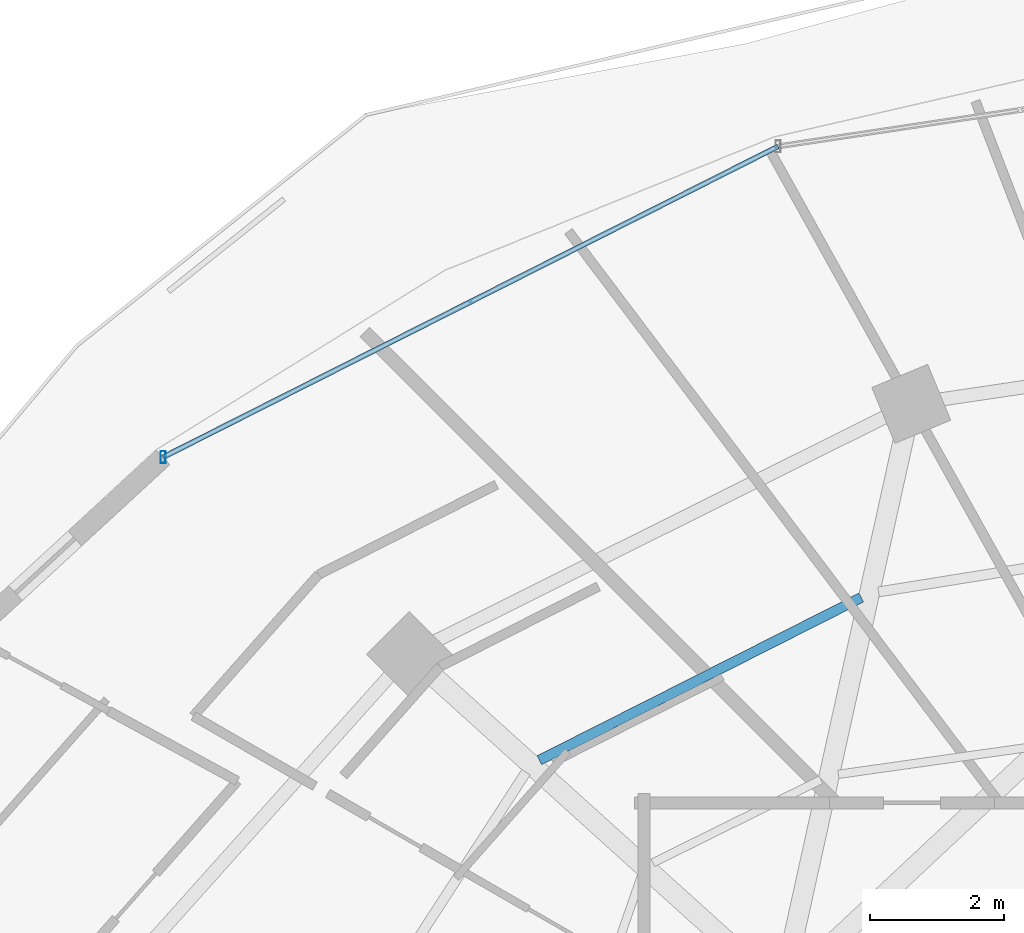
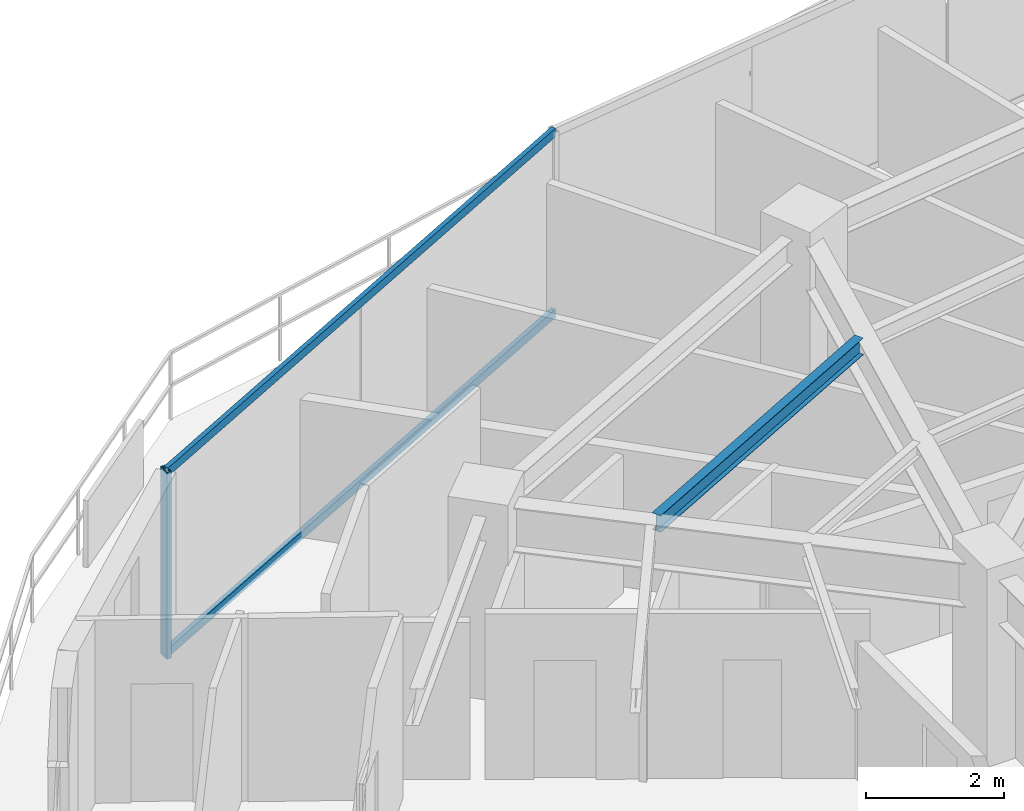
# One storey, part 16 of 31: 3 members, 1 beam, 1 element without a shape of its own.
"""IFC4 building model written with IfcOpenShell, lengths in metres."""

from ifc_helpers import new_model, si_unit, direction, frame, origin, origin_2d, place, context, subcontext, project, spatial, hollow_rectangle, i_section, extrude, material, material_profile, profile_set, type_object, element, aggregate, save


model = new_model("IFC4")

# Units and contexts
model_context = context("Model", 3, precision=1e-05, world=origin(), true_north=direction((0.0, 1.0)))
body_context = subcontext(model_context, "Body", "Model", "MODEL_VIEW")
ifc_project = project(units=[si_unit("LENGTHUNIT", "METRE"), si_unit("AREAUNIT", "SQUARE_METRE"), si_unit("VOLUMEUNIT", "CUBIC_METRE"), si_unit("PLANEANGLEUNIT", "RADIAN"), si_unit("MASSUNIT", "GRAM", prefix="KILO")], contexts=[model_context])

# Site, building, storey
site_placement = place(None, origin())
site = spatial("IfcSite", under=ifc_project, at=site_placement, CompositionType="ELEMENT")
building_placement = place(site_placement, origin())
building = spatial("IfcBuilding", under=site, at=building_placement, Name="Vorneva Point Tower", CompositionType="ELEMENT")
storey_placement = place(building_placement, frame((0.0, 0.0, 193.10009765625)))
storey = spatial("IfcBuildingStorey", under=building, at=storey_placement, Name="L52", CompositionType="ELEMENT", Elevation=193.10009765625)

# Beam
ifc_material_1 = material(Name="Steel S355", Category="steel")
ifc_material_profile_1 = material_profile(ifc_material_1, i_section(OverallWidth=0.14892578125, OverallDepth=0.298095703125, WebThickness=0.005615234375, FlangeThickness=0.008056640625, at=origin_2d()), Name="30B1")
ifc_profile_set_1 = profile_set([ifc_material_profile_1], Name="Steel S355")
beam_type = type_object("IfcBeamType", Name="BM-JST-30B1", PredefinedType="JOIST", material=ifc_profile_set_1)
beam_placement = place(storey_placement, frame((28.43310546875, 39.00634765625, 3.0908203125), z_axis=(-0.892445275424, -0.451155660912, 0.0), x_axis=(0.451155660912, -0.892445275424, 0.0)))
element("IfcBeam", 1, at=beam_placement, inside=storey, type_object=beam_type, Name="L52 Secondary Floor Beam 1.06", PredefinedType="JOIST", context=body_context, shape_type="SweptSolid", body=[
    extrude(i_section(OverallWidth=0.14892578125, OverallDepth=0.298095703125, WebThickness=0.005615234375, FlangeThickness=0.008056640625, at=origin_2d()), origin(), (0.0, 0.0, 1.0), 5.369873046875),
])

# Curtain wall, members
ifc_material_2 = material(Name="Pale anodised aluminium", Category="aluminium")
curtain_wall_type = type_object("IfcCurtainWallType", Name="CW-RES-SYS", PredefinedType="NOTDEFINED", material=ifc_material_2)
curtain_wall_placement = place(storey_placement, origin())
curtain_wall = element("IfcCurtainWall", 2, at=curtain_wall_placement, inside=storey, type_object=curtain_wall_type, Name="L52 Unitised Curtain Wall CW-L52-R02", PredefinedType="NOTDEFINED")
ifc_material_profile_2 = material_profile(ifc_material_2, hollow_rectangle(XDim=0.074951171875, YDim=0.179931640625, WallThickness=0.00390625, at=origin_2d()), Name="AL-MUL 180x75x4")
ifc_profile_set_2 = profile_set([ifc_material_profile_2], Name="Pale anodised aluminium")
member_type_1 = type_object("IfcMemberType", Name="CW-MUL-180", PredefinedType="MULLION", material=ifc_profile_set_2)
member_1_placement = place(storey_placement, frame((18.038330078125, 41.0966796875, -0.0400390625), z_axis=(0.0, 0.0, 1.0), x_axis=(1.0, 0.0, 0.0)))
member_1 = element("IfcMember", 3, at=member_1_placement, type_object=member_type_1, Name="CW-L52-R02 Mullion 05", PredefinedType="MULLION", context=body_context, shape_type="SweptSolid", body=[
    extrude(hollow_rectangle(XDim=0.074951171875, YDim=0.179931640625, WallThickness=0.00390625, at=origin_2d()), origin(), (0.0, 0.0, 1.0), 3.31005859375),
])
ifc_material_profile_3 = material_profile(ifc_material_2, hollow_rectangle(XDim=0.074951171875, YDim=0.14990234375, WallThickness=0.00390625, at=origin_2d()), Name="AL-TRN 150x75x4")
ifc_profile_set_3 = profile_set([ifc_material_profile_3], Name="Pale anodised aluminium")
member_type_2 = type_object("IfcMemberType", Name="CW-TRN-150", PredefinedType="USERDEFINED", material=ifc_profile_set_3)
member_2_placement = place(storey_placement, frame((27.19677734375, 45.724853515625, 0.02001953125), z_axis=(-0.892510927709, -0.451025768576, 0.0), x_axis=(0.451025768576, -0.892510927709, 0.0)))
member_2 = element("IfcMember", 4, at=member_2_placement, type_object=member_type_2, Name="CW-L52-R02 Transom 04.1", ObjectType="TRANSOM", PredefinedType="USERDEFINED", context=body_context, shape_type="SweptSolid", body=[
    extrude(hollow_rectangle(XDim=0.074951171875, YDim=0.14990234375, WallThickness=0.00390625, at=origin_2d()), origin(), (0.0, 0.0, 1.0), 10.261474609375),
])
member_3_placement = place(storey_placement, frame((27.19677734375, 45.724853515625, 3.219970703125), z_axis=(-0.892510927709, -0.451025768576, 0.0), x_axis=(0.451025768576, -0.892510927709, 0.0)))
member_3 = element("IfcMember", 5, at=member_3_placement, type_object=member_type_2, Name="CW-L52-R02 Transom 04.2", ObjectType="TRANSOM", PredefinedType="USERDEFINED", context=body_context, shape_type="SweptSolid", body=[
    extrude(hollow_rectangle(XDim=0.074951171875, YDim=0.14990234375, WallThickness=0.00390625, at=origin_2d()), origin(), (0.0, 0.0, 1.0), 10.261474609375),
])
aggregate(curtain_wall, [member_1, member_2, member_3])

save(model, "model.ifc")
